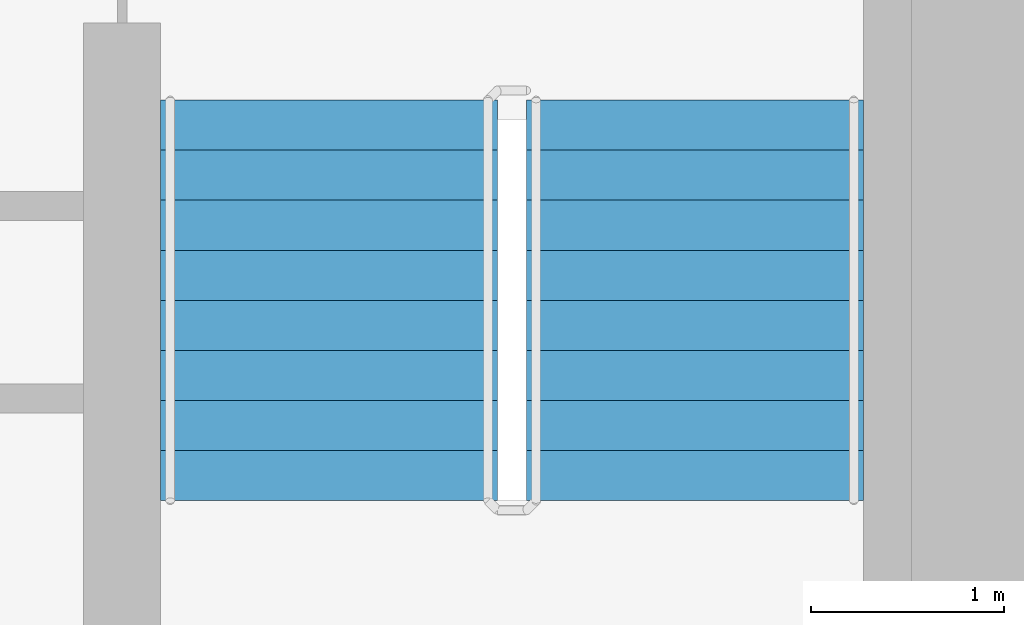
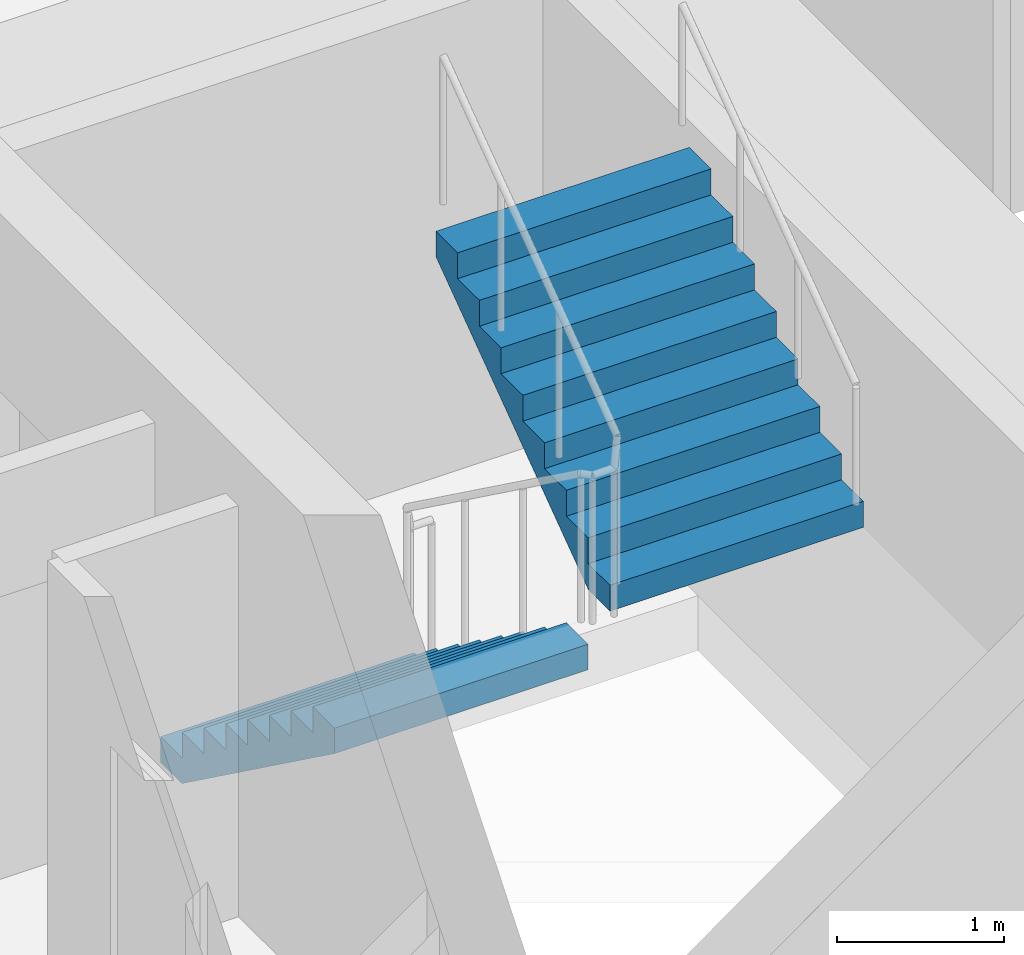
# One storey, part 17 of 21: 2 stair flights, 1 element without a shape of its own.
"""IFC4 building model written with IfcOpenShell, lengths in metres."""

import ifcopenshell
import ifcopenshell.guid

model = None  # the IFC model being written
_history = None  # IfcOwnerHistory: only IFC2X3 demands one
_inside = {}  # id of a spatial element -> (the spatial element, [elements in it])
_under = {}  # id of a project, library or spatial element -> (it, [spatial elements below it])
_declared = {}  # id of a project -> (the project, [libraries it declares])
_typed = {}  # id of a type object -> (the type object, [elements of that type])
_made_of = {}  # id of a material, layer set ... -> (it, [elements and type objects made of it])


def new_model(schema):
    """Start an empty IFC model of exactly this schema.

    Asked for "IFC4X3", IfcOpenShell would pick the latest addendum, in which some entities
    have other attributes; the version numbers below select the first issue.
    IFC2X3 requires an IfcOwnerHistory on every rooted entity: one is made here for all.
    """
    global model, _history
    if schema == "IFC4X3":
        model = ifcopenshell.file(schema_version=(4, 3, 0, 0))
    else:
        model = ifcopenshell.file(schema=schema)
    _inside.clear()
    _under.clear()
    _declared.clear()
    _typed.clear()
    _made_of.clear()
    _history = None
    if model.schema == "IFC2X3":
        org = make("IfcOrganization", Name="unknown")
        user = make(
            "IfcPersonAndOrganization",
            ThePerson=make("IfcPerson", FamilyName="unknown"),
            TheOrganization=org,
        )
        app = make(
            "IfcApplication",
            ApplicationDeveloper=org,
            Version="unknown",
            ApplicationFullName="unknown",
            ApplicationIdentifier="unknown",
        )
        _history = make(
            "IfcOwnerHistory",
            OwningUser=user,
            OwningApplication=app,
            ChangeAction="ADDED",
            CreationDate=0,
        )
    return model


def make(cls, **values):
    """One entity of the class cls with the attributes given. An attribute that is None is left unset."""
    return model.create_entity(
        cls, **{name: value for name, value in values.items() if value is not None}
    )


def rooted(cls, **values):
    """An entity with a GlobalId (a new one), such as an element, a storey or a relation."""
    return make(cls, GlobalId=ifcopenshell.guid.new(), OwnerHistory=_history, **values)


def si_unit(unit_type, name, prefix=None):
    """IfcSIUnit, for example si_unit("LENGTHUNIT", "METRE", prefix="MILLI")."""
    return make("IfcSIUnit", UnitType=unit_type, Prefix=prefix, Name=name)


def assignment(units):
    """IfcUnitAssignment: the units of a project."""
    return None if units is None else make("IfcUnitAssignment", Units=units)


def point(xyz):
    """IfcCartesianPoint."""
    return None if xyz is None else make("IfcCartesianPoint", Coordinates=xyz)


def direction(xyz):
    """IfcDirection."""
    return None if xyz is None else make("IfcDirection", DirectionRatios=xyz)


def frame(location, z_axis=None, x_axis=None):
    """IfcAxis2Placement3D, a coordinate frame: its origin and axes. An axis left out is left unset."""
    return make(
        "IfcAxis2Placement3D",
        Location=point(location),
        Axis=direction(z_axis),
        RefDirection=direction(x_axis),
    )


def origin():
    """The frame at (0, 0, 0) with its axes left unset."""
    return frame((0.0, 0.0, 0.0))


def place(relative_to, where):
    """IfcLocalPlacement: puts the frame where relative to a parent placement (None: the world)."""
    return make(
        "IfcLocalPlacement", PlacementRelTo=relative_to, RelativePlacement=where
    )


def context(
    kind, dimensions, precision=None, world=None, true_north=None, identifier=None
):
    """IfcGeometricRepresentationContext, for example the 3D "Model" context."""
    return make(
        "IfcGeometricRepresentationContext",
        ContextIdentifier=identifier,
        ContextType=kind,
        CoordinateSpaceDimension=dimensions,
        Precision=precision,
        WorldCoordinateSystem=world,
        TrueNorth=true_north,
    )


def subcontext(parent, identifier, kind, view, scale=None):
    """IfcGeometricRepresentationSubContext, for example "Body" below "Model"."""
    return make(
        "IfcGeometricRepresentationSubContext",
        ContextIdentifier=identifier,
        ContextType=kind,
        ParentContext=parent,
        TargetScale=scale,
        TargetView=view,
    )


def project(units=None, contexts=None):
    """IfcProject with its units and contexts."""
    return rooted(
        "IfcProject",
        Name="project",
        RepresentationContexts=contexts,
        UnitsInContext=assignment(units),
    )


def spatial(cls, under=None, at=None, **own):
    """A site, building, storey or space (cls), placed at a placement, below another one or the project."""
    s = rooted(cls, ObjectPlacement=at, **own)
    if under is not None:
        _under.setdefault(under.id(), (under, []))[1].append(s)
    return s


def faces_of(points, faces, orient=None, outer=None):
    """IfcFace entities. A face is a list of loops; a loop is a list of indices into points, from 0.

    orient and outer hold one flag for each loop. By default every Orientation is true, the
    first loop of a face is its IfcFaceOuterBound and the others are IfcFaceBound.
    """
    made = []
    for i, loops in enumerate(faces):
        bounds = []
        for j, loop in enumerate(loops):
            is_outer = j == 0 if outer is None else outer[i][j]
            bounds.append(
                make(
                    "IfcFaceOuterBound" if is_outer else "IfcFaceBound",
                    Bound=make("IfcPolyLoop", Polygon=[points[k] for k in loop]),
                    Orientation=True if orient is None else orient[i][j],
                )
            )
        made.append(make("IfcFace", Bounds=bounds))
    return made


def faceted_brep(points, faces, orient=None, outer=None, voids=None):
    """IfcFacetedBrep: a solid bounded by flat faces; with voids (closed shells), ...WithVoids."""
    shared = [point(p) for p in points]
    hull = make("IfcClosedShell", CfsFaces=faces_of(shared, faces, orient, outer))
    if voids is None:
        return make("IfcFacetedBrep", Outer=hull)
    return make(
        "IfcFacetedBrepWithVoids",
        Outer=hull,
        Voids=[
            make(cls, CfsFaces=faces_of(shared, fs, o, b)) for cls, fs, o, b in voids
        ],
    )


def shape(context_of_items, identifier, shape_type, items):
    """IfcShapeRepresentation: the items that make up one representation, for example the "Body"."""
    return make(
        "IfcShapeRepresentation",
        ContextOfItems=context_of_items,
        RepresentationIdentifier=identifier,
        RepresentationType=shape_type,
        Items=items,
    )


def material(Name=None, Category=None):
    """IfcMaterial."""
    return make("IfcMaterial", Name=Name, Category=Category)


def made_of(thing, what):
    """Note that an element or type object is made of a material, layer set ...; save() writes the relation."""
    if what is not None:
        _made_of.setdefault(what.id(), (what, []))[1].append(thing)
    return thing


def type_object(cls, material=None, **own):
    """A type object (cls), such as IfcWallType, which elements share."""
    return made_of(rooted(cls, **own), material)


def element(
    cls,
    number,
    at=None,
    inside=None,
    cuts=None,
    type_object=None,
    material=None,
    context=None,
    identifier="Body",
    shape_type=None,
    held_by="IfcProductDefinitionShape",
    body=None,
    shapes=None,
    **own,
):
    """One element of the class cls, such as IfcWall. Its Tag is "e" and its number.

    at: its placement. inside: the storey or other place that contains it. cuts: it is an
    opening in that element (IfcRelVoidsElement). A single representation is given by context,
    identifier, shape_type and body (its items); several are given by shapes. held_by: the class
    of the entity that holds the representations. save() writes the other relations.
    """
    e = rooted(cls, Tag="e%d" % number, ObjectPlacement=at, **own)
    if body is not None:
        shapes = [shape(context, identifier, shape_type, body)]
    if shapes is not None:
        e.Representation = make(held_by, Representations=shapes)
    if inside is not None:
        _inside.setdefault(inside.id(), (inside, []))[1].append(e)
    if cuts is not None:
        rooted(
            "IfcRelVoidsElement", RelatingBuildingElement=cuts, RelatedOpeningElement=e
        )
    if type_object is not None:
        _typed.setdefault(type_object.id(), (type_object, []))[1].append(e)
    return made_of(e, material)


def aggregate(whole, parts):
    """IfcRelAggregates: a whole, such as a stair, and the parts it consists of."""
    return rooted("IfcRelAggregates", RelatingObject=whole, RelatedObjects=parts)


def save(model, path):
    """Write the relations noted so far, then the file.

    IfcRelAggregates (storeys below a building ...), IfcRelContainedInSpatialStructure (elements
    in a storey), IfcRelDefinesByType, IfcRelAssociatesMaterial and IfcRelDeclares: one each for
    every whole, place, type object, material and project.
    """
    for whole, parts in _under.values():
        aggregate(whole, parts)
    for where, things in _inside.values():
        rooted(
            "IfcRelContainedInSpatialStructure",
            RelatedElements=things,
            RelatingStructure=where,
        )
    for kind, things in _typed.values():
        rooted("IfcRelDefinesByType", RelatedObjects=things, RelatingType=kind)
    for what, things in _made_of.values():
        rooted("IfcRelAssociatesMaterial", RelatedObjects=things, RelatingMaterial=what)
    for by, libraries in _declared.values():
        rooted("IfcRelDeclares", RelatingContext=by, RelatedDefinitions=libraries)
    model.write(path)


model = new_model("IFC4")

# Units and contexts
model_context = context("Model", 3, precision=1e-05, world=origin(), true_north=direction((0.0, 1.0)))
body_context = subcontext(model_context, "Body", "Model", "MODEL_VIEW")
ifc_project = project(units=[si_unit("LENGTHUNIT", "METRE"), si_unit("AREAUNIT", "SQUARE_METRE"), si_unit("VOLUMEUNIT", "CUBIC_METRE"), si_unit("PLANEANGLEUNIT", "RADIAN"), si_unit("MASSUNIT", "GRAM", prefix="KILO")], contexts=[model_context])

# Site, building, storey
site_placement = place(None, origin())
site = spatial("IfcSite", under=ifc_project, at=site_placement, CompositionType="ELEMENT")
building_placement = place(site_placement, origin())
building = spatial("IfcBuilding", under=site, at=building_placement, Name="Ipe Terrace Towers", CompositionType="ELEMENT")
storey_placement = place(building_placement, frame((0.0, 0.0, 107.199951171875)))
storey = spatial("IfcBuildingStorey", under=building, at=storey_placement, Name="L29", CompositionType="ELEMENT", Elevation=107.199951171875)

# Stair, stair flights
ifc_material_1 = material(Name="Concrete C30/37", Category="concrete")
stair_type = type_object("IfcStairType", Name="Protected exit stair", PredefinedType="HALF_TURN_STAIR", material=ifc_material_1)
stair_placement = place(storey_placement, origin())
stair = element("IfcStair", 1, at=stair_placement, inside=storey, type_object=stair_type, Name="L29 Exit stair T2-C2", PredefinedType="HALF_TURN_STAIR")
ifc_material_2 = material(Name="Concrete C30/37", Category="concrete")
stair_flight_type = type_object("IfcStairFlightType", Name="Exit stair flight 1750", PredefinedType="STRAIGHT", material=ifc_material_2)
stair_flight_1_placement = place(storey_placement, frame((38.77490234375, -9.699951171875, 0.0), z_axis=(0.0, 0.0, 1.0), x_axis=(0.0, -1.0, 0.0)))
stair_flight_1 = element("IfcStairFlight", 2, at=stair_flight_1_placement, type_object=stair_flight_type, Name="T2-ST2 flight 1", NumberOfRisers=9, NumberOfTreads=8, PredefinedType="STRAIGHT", RiserHeight=0.188888889, TreadLength=0.26, context=body_context, shape_type="Brep", body=[
    faceted_brep([(0.255126953125, -0.875, 0.0), (2.080078125, -0.875, 1.325927734375), (2.080078125, -0.875, 1.51123046875), (1.820068359375, -0.875, 1.51123046875), (1.820068359375, -0.875, 1.322265625), (1.56005859375, -0.875, 1.322265625), (1.56005859375, -0.875, 1.13330078125), (1.300048828125, -0.875, 1.13330078125), (1.300048828125, -0.875, 0.9443359375), (1.0400390625, -0.875, 0.9443359375), (1.0400390625, -0.875, 0.755615234375), (0.780029296875, -0.875, 0.755615234375), (0.780029296875, -0.875, 0.566650390625), (0.52001953125, -0.875, 0.566650390625), (0.52001953125, -0.875, 0.377685546875), (0.260009765625, -0.875, 0.377685546875), (0.260009765625, -0.875, 0.18896484375), (0.0, -0.875, 0.18896484375), (0.0, -0.875, 0.0), (0.0, 0.875, 0.0), (0.0, 0.875, 0.18896484375), (0.260009765625, 0.875, 0.18896484375), (0.260009765625, 0.875, 0.377685546875), (0.52001953125, 0.875, 0.377685546875), (0.52001953125, 0.875, 0.566650390625), (0.780029296875, 0.875, 0.566650390625), (0.780029296875, 0.875, 0.755615234375), (1.0400390625, 0.875, 0.755615234375), (1.0400390625, 0.875, 0.9443359375), (1.300048828125, 0.875, 0.9443359375), (1.300048828125, 0.875, 1.13330078125), (1.56005859375, 0.875, 1.13330078125), (1.56005859375, 0.875, 1.322265625), (1.820068359375, 0.875, 1.322265625), (1.820068359375, 0.875, 1.51123046875), (2.080078125, 0.875, 1.51123046875), (2.080078125, 0.875, 1.325927734375), (0.255126953125, 0.875, 0.0), (0.0, -0.300048828125, 0.18896484375), (0.0, -0.1201171875, 0.18896484375), (0.0, -0.06005859375, 0.18896484375), (0.0, -0.030029296875, 0.18896484375), (0.0, -0.010009765625, 0.18896484375), (0.0, 0.0, 0.18896484375), (0.0, 0.010009765625, 0.18896484375), (0.0, 0.030029296875, 0.18896484375), (0.0, 0.06005859375, 0.18896484375), (0.0, 0.1201171875, 0.18896484375), (0.0, 0.300048828125, 0.18896484375), (0.0, 0.300048828125, 0.0), (0.0, 0.1201171875, 0.0), (0.0, 0.06005859375, 0.0), (0.0, 0.030029296875, 0.0), (0.0, 0.010009765625, 0.0), (0.0, 0.0, 0.0), (0.0, -0.010009765625, 0.0), (0.0, -0.030029296875, 0.0), (0.0, -0.06005859375, 0.0), (0.0, -0.1201171875, 0.0), (0.0, -0.300048828125, 0.0), (0.260009765625, -0.300048828125, 0.18896484375), (0.260009765625, -0.1201171875, 0.18896484375), (0.260009765625, -0.06005859375, 0.18896484375), (0.260009765625, -0.030029296875, 0.18896484375), (0.260009765625, -0.010009765625, 0.18896484375), (0.260009765625, 0.0, 0.18896484375), (0.260009765625, 0.010009765625, 0.18896484375), (0.260009765625, 0.030029296875, 0.18896484375), (0.260009765625, 0.06005859375, 0.18896484375), (0.260009765625, 0.1201171875, 0.18896484375), (0.260009765625, 0.300048828125, 0.18896484375), (0.260009765625, -0.300048828125, 0.377685546875), (0.260009765625, -0.1201171875, 0.377685546875), (0.260009765625, -0.06005859375, 0.377685546875), (0.260009765625, -0.030029296875, 0.377685546875), (0.260009765625, -0.010009765625, 0.377685546875), (0.260009765625, 0.0, 0.377685546875), (0.260009765625, 0.010009765625, 0.377685546875), (0.260009765625, 0.030029296875, 0.377685546875), (0.260009765625, 0.06005859375, 0.377685546875), (0.260009765625, 0.1201171875, 0.377685546875), (0.260009765625, 0.300048828125, 0.377685546875), (0.52001953125, -0.300048828125, 0.377685546875), (0.52001953125, -0.1201171875, 0.377685546875), (0.52001953125, -0.06005859375, 0.377685546875), (0.52001953125, -0.030029296875, 0.377685546875), (0.52001953125, -0.010009765625, 0.377685546875), (0.52001953125, 0.0, 0.377685546875), (0.52001953125, 0.010009765625, 0.377685546875), (0.52001953125, 0.030029296875, 0.377685546875), (0.52001953125, 0.06005859375, 0.377685546875), (0.52001953125, 0.1201171875, 0.377685546875), (0.52001953125, 0.300048828125, 0.377685546875), (0.52001953125, -0.300048828125, 0.566650390625), (0.52001953125, -0.1201171875, 0.566650390625), (0.52001953125, -0.06005859375, 0.566650390625), (0.52001953125, -0.030029296875, 0.566650390625), (0.52001953125, -0.010009765625, 0.566650390625), (0.52001953125, 0.0, 0.566650390625), (0.52001953125, 0.010009765625, 0.566650390625), (0.52001953125, 0.030029296875, 0.566650390625), (0.52001953125, 0.06005859375, 0.566650390625), (0.52001953125, 0.1201171875, 0.566650390625), (0.52001953125, 0.300048828125, 0.566650390625), (0.780029296875, -0.300048828125, 0.566650390625), (0.780029296875, -0.1201171875, 0.566650390625), (0.780029296875, -0.06005859375, 0.566650390625), (0.780029296875, -0.030029296875, 0.566650390625), (0.780029296875, -0.010009765625, 0.566650390625), (0.780029296875, 0.0, 0.566650390625), (0.780029296875, 0.010009765625, 0.566650390625), (0.780029296875, 0.030029296875, 0.566650390625), (0.780029296875, 0.06005859375, 0.566650390625), (0.780029296875, 0.1201171875, 0.566650390625), (0.780029296875, 0.300048828125, 0.566650390625), (0.780029296875, -0.300048828125, 0.755615234375), (0.780029296875, -0.1201171875, 0.755615234375), (0.780029296875, -0.06005859375, 0.755615234375), (0.780029296875, -0.030029296875, 0.755615234375), (0.780029296875, -0.010009765625, 0.755615234375), (0.780029296875, 0.0, 0.755615234375), (0.780029296875, 0.010009765625, 0.755615234375), (0.780029296875, 0.030029296875, 0.755615234375), (0.780029296875, 0.06005859375, 0.755615234375), (0.780029296875, 0.1201171875, 0.755615234375), (0.780029296875, 0.300048828125, 0.755615234375), (1.0400390625, -0.300048828125, 0.755615234375), (1.0400390625, -0.1201171875, 0.755615234375), (1.0400390625, -0.06005859375, 0.755615234375), (1.0400390625, -0.030029296875, 0.755615234375), (1.0400390625, -0.010009765625, 0.755615234375), (1.0400390625, 0.0, 0.755615234375), (1.0400390625, 0.010009765625, 0.755615234375), (1.0400390625, 0.030029296875, 0.755615234375), (1.0400390625, 0.06005859375, 0.755615234375), (1.0400390625, 0.1201171875, 0.755615234375), (1.0400390625, 0.300048828125, 0.755615234375), (1.0400390625, -0.300048828125, 0.9443359375), (1.0400390625, -0.1201171875, 0.9443359375), (1.0400390625, -0.06005859375, 0.9443359375), (1.0400390625, -0.030029296875, 0.9443359375), (1.0400390625, -0.010009765625, 0.9443359375), (1.0400390625, 0.0, 0.9443359375), (1.0400390625, 0.010009765625, 0.9443359375), (1.0400390625, 0.030029296875, 0.9443359375), (1.0400390625, 0.06005859375, 0.9443359375), (1.0400390625, 0.1201171875, 0.9443359375), (1.0400390625, 0.300048828125, 0.9443359375), (1.300048828125, -0.300048828125, 0.9443359375), (1.300048828125, -0.1201171875, 0.9443359375), (1.300048828125, -0.06005859375, 0.9443359375), (1.300048828125, -0.030029296875, 0.9443359375), (1.300048828125, -0.010009765625, 0.9443359375), (1.300048828125, 0.0, 0.9443359375), (1.300048828125, 0.010009765625, 0.9443359375), (1.300048828125, 0.030029296875, 0.9443359375), (1.300048828125, 0.06005859375, 0.9443359375), (1.300048828125, 0.1201171875, 0.9443359375), (1.300048828125, 0.300048828125, 0.9443359375), (1.300048828125, -0.300048828125, 1.13330078125), (1.300048828125, -0.1201171875, 1.13330078125), (1.300048828125, -0.06005859375, 1.13330078125), (1.300048828125, -0.030029296875, 1.13330078125), (1.300048828125, -0.010009765625, 1.13330078125), (1.300048828125, 0.0, 1.13330078125), (1.300048828125, 0.010009765625, 1.13330078125), (1.300048828125, 0.030029296875, 1.13330078125), (1.300048828125, 0.06005859375, 1.13330078125), (1.300048828125, 0.1201171875, 1.13330078125), (1.300048828125, 0.300048828125, 1.13330078125), (1.56005859375, -0.300048828125, 1.13330078125), (1.56005859375, -0.1201171875, 1.13330078125), (1.56005859375, -0.06005859375, 1.13330078125), (1.56005859375, -0.030029296875, 1.13330078125), (1.56005859375, -0.010009765625, 1.13330078125), (1.56005859375, 0.0, 1.13330078125), (1.56005859375, 0.010009765625, 1.13330078125), (1.56005859375, 0.030029296875, 1.13330078125), (1.56005859375, 0.06005859375, 1.13330078125), (1.56005859375, 0.1201171875, 1.13330078125), (1.56005859375, 0.300048828125, 1.13330078125), (1.56005859375, -0.300048828125, 1.322265625), (1.56005859375, -0.1201171875, 1.322265625), (1.56005859375, -0.06005859375, 1.322265625), (1.56005859375, -0.030029296875, 1.322265625), (1.56005859375, -0.010009765625, 1.322265625), (1.56005859375, 0.0, 1.322265625), (1.56005859375, 0.010009765625, 1.322265625), (1.56005859375, 0.030029296875, 1.322265625), (1.56005859375, 0.06005859375, 1.322265625), (1.56005859375, 0.1201171875, 1.322265625), (1.56005859375, 0.300048828125, 1.322265625), (1.820068359375, -0.300048828125, 1.322265625), (1.820068359375, -0.1201171875, 1.322265625), (1.820068359375, -0.06005859375, 1.322265625), (1.820068359375, -0.030029296875, 1.322265625), (1.820068359375, -0.010009765625, 1.322265625), (1.820068359375, 0.0, 1.322265625), (1.820068359375, 0.010009765625, 1.322265625), (1.820068359375, 0.030029296875, 1.322265625), (1.820068359375, 0.06005859375, 1.322265625), (1.820068359375, 0.1201171875, 1.322265625), (1.820068359375, 0.300048828125, 1.322265625), (1.820068359375, -0.300048828125, 1.51123046875), (1.820068359375, -0.1201171875, 1.51123046875), (1.820068359375, -0.06005859375, 1.51123046875), (1.820068359375, -0.030029296875, 1.51123046875), (1.820068359375, -0.010009765625, 1.51123046875), (1.820068359375, 0.0, 1.51123046875), (1.820068359375, 0.010009765625, 1.51123046875), (1.820068359375, 0.030029296875, 1.51123046875), (1.820068359375, 0.06005859375, 1.51123046875), (1.820068359375, 0.1201171875, 1.51123046875), (1.820068359375, 0.300048828125, 1.51123046875), (2.080078125, -0.300048828125, 1.51123046875), (2.080078125, -0.1201171875, 1.51123046875), (2.080078125, -0.06005859375, 1.51123046875), (2.080078125, -0.030029296875, 1.51123046875), (2.080078125, -0.010009765625, 1.51123046875), (2.080078125, 0.0, 1.51123046875), (2.080078125, 0.010009765625, 1.51123046875), (2.080078125, 0.030029296875, 1.51123046875), (2.080078125, 0.06005859375, 1.51123046875), (2.080078125, 0.1201171875, 1.51123046875), (2.080078125, 0.300048828125, 1.51123046875), (2.080078125, -0.300048828125, 1.325927734375), (2.080078125, -0.1201171875, 1.325927734375), (2.080078125, -0.06005859375, 1.325927734375), (2.080078125, -0.030029296875, 1.325927734375), (2.080078125, -0.010009765625, 1.325927734375), (2.080078125, 0.0, 1.325927734375), (2.080078125, 0.010009765625, 1.325927734375), (2.080078125, 0.030029296875, 1.325927734375), (2.080078125, 0.06005859375, 1.325927734375), (2.080078125, 0.1201171875, 1.325927734375), (2.080078125, 0.300048828125, 1.325927734375), (0.255126953125, -0.300048828125, 0.0), (0.255126953125, -0.1201171875, 0.0), (0.255126953125, -0.06005859375, 0.0), (0.255126953125, -0.030029296875, 0.0), (0.255126953125, -0.010009765625, 0.0), (0.255126953125, 0.0, 0.0), (0.255126953125, 0.010009765625, 0.0), (0.255126953125, 0.030029296875, 0.0), (0.255126953125, 0.06005859375, 0.0), (0.255126953125, 0.1201171875, 0.0), (0.255126953125, 0.300048828125, 0.0)], [[[0, 1, 2, 3, 4, 5, 6, 7, 8, 9, 10, 11, 12, 13, 14, 15, 16, 17, 18]], [[19, 20, 21, 22, 23, 24, 25, 26, 27, 28, 29, 30, 31, 32, 33, 34, 35, 36, 37]], [[17, 38, 39, 40, 41, 42, 43, 44, 45, 46, 47, 48, 20, 19, 49, 50, 51, 52, 53, 54, 55, 56, 57, 58, 59, 18]], [[16, 60, 61, 62, 63, 64, 65, 66, 67, 68, 69, 70, 21, 20, 48, 47, 46, 45, 44, 43, 42, 41, 40, 39, 38, 17]], [[15, 71, 72, 73, 74, 75, 76, 77, 78, 79, 80, 81, 22, 21, 70, 69, 68, 67, 66, 65, 64, 63, 62, 61, 60, 16]], [[14, 82, 83, 84, 85, 86, 87, 88, 89, 90, 91, 92, 23, 22, 81, 80, 79, 78, 77, 76, 75, 74, 73, 72, 71, 15]], [[13, 93, 94, 95, 96, 97, 98, 99, 100, 101, 102, 103, 24, 23, 92, 91, 90, 89, 88, 87, 86, 85, 84, 83, 82, 14]], [[12, 104, 105, 106, 107, 108, 109, 110, 111, 112, 113, 114, 25, 24, 103, 102, 101, 100, 99, 98, 97, 96, 95, 94, 93, 13]], [[11, 115, 116, 117, 118, 119, 120, 121, 122, 123, 124, 125, 26, 25, 114, 113, 112, 111, 110, 109, 108, 107, 106, 105, 104, 12]], [[10, 126, 127, 128, 129, 130, 131, 132, 133, 134, 135, 136, 27, 26, 125, 124, 123, 122, 121, 120, 119, 118, 117, 116, 115, 11]], [[9, 137, 138, 139, 140, 141, 142, 143, 144, 145, 146, 147, 28, 27, 136, 135, 134, 133, 132, 131, 130, 129, 128, 127, 126, 10]], [[8, 148, 149, 150, 151, 152, 153, 154, 155, 156, 157, 158, 29, 28, 147, 146, 145, 144, 143, 142, 141, 140, 139, 138, 137, 9]], [[7, 159, 160, 161, 162, 163, 164, 165, 166, 167, 168, 169, 30, 29, 158, 157, 156, 155, 154, 153, 152, 151, 150, 149, 148, 8]], [[6, 170, 171, 172, 173, 174, 175, 176, 177, 178, 179, 180, 31, 30, 169, 168, 167, 166, 165, 164, 163, 162, 161, 160, 159, 7]], [[5, 181, 182, 183, 184, 185, 186, 187, 188, 189, 190, 191, 32, 31, 180, 179, 178, 177, 176, 175, 174, 173, 172, 171, 170, 6]], [[4, 192, 193, 194, 195, 196, 197, 198, 199, 200, 201, 202, 33, 32, 191, 190, 189, 188, 187, 186, 185, 184, 183, 182, 181, 5]], [[3, 203, 204, 205, 206, 207, 208, 209, 210, 211, 212, 213, 34, 33, 202, 201, 200, 199, 198, 197, 196, 195, 194, 193, 192, 4]], [[2, 214, 215, 216, 217, 218, 219, 220, 221, 222, 223, 224, 35, 34, 213, 212, 211, 210, 209, 208, 207, 206, 205, 204, 203, 3]], [[1, 225, 226, 227, 228, 229, 230, 231, 232, 233, 234, 235, 36, 35, 224, 223, 222, 221, 220, 219, 218, 217, 216, 215, 214, 2]], [[0, 236, 237, 238, 239, 240, 241, 242, 243, 244, 245, 246, 37, 36, 235, 234, 233, 232, 231, 230, 229, 228, 227, 226, 225, 1]], [[18, 59, 58, 57, 56, 55, 54, 53, 52, 51, 50, 49, 19, 37, 246, 245, 244, 243, 242, 241, 240, 239, 238, 237, 236, 0]]]),
])
stair_flight_2_placement = place(storey_placement, frame((40.675048828125, -11.780029296875, 1.699951171875), z_axis=(0.0, 0.0, 1.0), x_axis=(0.0, 1.0, 0.0)))
stair_flight_2 = element("IfcStairFlight", 3, at=stair_flight_2_placement, type_object=stair_flight_type, Name="T2-ST2 flight 2", NumberOfRisers=9, NumberOfTreads=8, PredefinedType="STRAIGHT", RiserHeight=0.188888889, TreadLength=0.26, context=body_context, shape_type="Brep", body=[
    faceted_brep([(0.255126953125, -0.875, 0.0), (2.080078125, -0.875, 1.325927734375), (2.080078125, -0.875, 1.51123046875), (1.820068359375, -0.875, 1.51123046875), (1.820068359375, -0.875, 1.322265625), (1.56005859375, -0.875, 1.322265625), (1.56005859375, -0.875, 1.13330078125), (1.300048828125, -0.875, 1.13330078125), (1.300048828125, -0.875, 0.9443359375), (1.0400390625, -0.875, 0.9443359375), (1.0400390625, -0.875, 0.755615234375), (0.780029296875, -0.875, 0.755615234375), (0.780029296875, -0.875, 0.566650390625), (0.52001953125, -0.875, 0.566650390625), (0.52001953125, -0.875, 0.377685546875), (0.260009765625, -0.875, 0.377685546875), (0.260009765625, -0.875, 0.18896484375), (0.0, -0.875, 0.18896484375), (0.0, -0.875, 0.0), (0.0, 0.875, 0.0), (0.0, 0.875, 0.18896484375), (0.260009765625, 0.875, 0.18896484375), (0.260009765625, 0.875, 0.377685546875), (0.52001953125, 0.875, 0.377685546875), (0.52001953125, 0.875, 0.566650390625), (0.780029296875, 0.875, 0.566650390625), (0.780029296875, 0.875, 0.755615234375), (1.0400390625, 0.875, 0.755615234375), (1.0400390625, 0.875, 0.9443359375), (1.300048828125, 0.875, 0.9443359375), (1.300048828125, 0.875, 1.13330078125), (1.56005859375, 0.875, 1.13330078125), (1.56005859375, 0.875, 1.322265625), (1.820068359375, 0.875, 1.322265625), (1.820068359375, 0.875, 1.51123046875), (2.080078125, 0.875, 1.51123046875), (2.080078125, 0.875, 1.325927734375), (0.255126953125, 0.875, 0.0), (0.0, -0.300048828125, 0.18896484375), (0.0, -0.1201171875, 0.18896484375), (0.0, -0.06005859375, 0.18896484375), (0.0, -0.030029296875, 0.18896484375), (0.0, -0.010009765625, 0.18896484375), (0.0, 0.0, 0.18896484375), (0.0, 0.010009765625, 0.18896484375), (0.0, 0.030029296875, 0.18896484375), (0.0, 0.06005859375, 0.18896484375), (0.0, 0.1201171875, 0.18896484375), (0.0, 0.300048828125, 0.18896484375), (0.0, 0.300048828125, 0.0), (0.0, 0.1201171875, 0.0), (0.0, 0.06005859375, 0.0), (0.0, 0.030029296875, 0.0), (0.0, 0.010009765625, 0.0), (0.0, 0.0, 0.0), (0.0, -0.010009765625, 0.0), (0.0, -0.030029296875, 0.0), (0.0, -0.06005859375, 0.0), (0.0, -0.1201171875, 0.0), (0.0, -0.300048828125, 0.0), (0.260009765625, -0.300048828125, 0.18896484375), (0.260009765625, -0.1201171875, 0.18896484375), (0.260009765625, -0.06005859375, 0.18896484375), (0.260009765625, -0.030029296875, 0.18896484375), (0.260009765625, -0.010009765625, 0.18896484375), (0.260009765625, 0.0, 0.18896484375), (0.260009765625, 0.010009765625, 0.18896484375), (0.260009765625, 0.030029296875, 0.18896484375), (0.260009765625, 0.06005859375, 0.18896484375), (0.260009765625, 0.1201171875, 0.18896484375), (0.260009765625, 0.300048828125, 0.18896484375), (0.260009765625, -0.300048828125, 0.377685546875), (0.260009765625, -0.1201171875, 0.377685546875), (0.260009765625, -0.06005859375, 0.377685546875), (0.260009765625, -0.030029296875, 0.377685546875), (0.260009765625, -0.010009765625, 0.377685546875), (0.260009765625, 0.0, 0.377685546875), (0.260009765625, 0.010009765625, 0.377685546875), (0.260009765625, 0.030029296875, 0.377685546875), (0.260009765625, 0.06005859375, 0.377685546875), (0.260009765625, 0.1201171875, 0.377685546875), (0.260009765625, 0.300048828125, 0.377685546875), (0.52001953125, -0.300048828125, 0.377685546875), (0.52001953125, -0.1201171875, 0.377685546875), (0.52001953125, -0.06005859375, 0.377685546875), (0.52001953125, -0.030029296875, 0.377685546875), (0.52001953125, -0.010009765625, 0.377685546875), (0.52001953125, 0.0, 0.377685546875), (0.52001953125, 0.010009765625, 0.377685546875), (0.52001953125, 0.030029296875, 0.377685546875), (0.52001953125, 0.06005859375, 0.377685546875), (0.52001953125, 0.1201171875, 0.377685546875), (0.52001953125, 0.300048828125, 0.377685546875), (0.52001953125, -0.300048828125, 0.566650390625), (0.52001953125, -0.1201171875, 0.566650390625), (0.52001953125, -0.06005859375, 0.566650390625), (0.52001953125, -0.030029296875, 0.566650390625), (0.52001953125, -0.010009765625, 0.566650390625), (0.52001953125, 0.0, 0.566650390625), (0.52001953125, 0.010009765625, 0.566650390625), (0.52001953125, 0.030029296875, 0.566650390625), (0.52001953125, 0.06005859375, 0.566650390625), (0.52001953125, 0.1201171875, 0.566650390625), (0.52001953125, 0.300048828125, 0.566650390625), (0.780029296875, -0.300048828125, 0.566650390625), (0.780029296875, -0.1201171875, 0.566650390625), (0.780029296875, -0.06005859375, 0.566650390625), (0.780029296875, -0.030029296875, 0.566650390625), (0.780029296875, -0.010009765625, 0.566650390625), (0.780029296875, 0.0, 0.566650390625), (0.780029296875, 0.010009765625, 0.566650390625), (0.780029296875, 0.030029296875, 0.566650390625), (0.780029296875, 0.06005859375, 0.566650390625), (0.780029296875, 0.1201171875, 0.566650390625), (0.780029296875, 0.300048828125, 0.566650390625), (0.780029296875, -0.300048828125, 0.755615234375), (0.780029296875, -0.1201171875, 0.755615234375), (0.780029296875, -0.06005859375, 0.755615234375), (0.780029296875, -0.030029296875, 0.755615234375), (0.780029296875, -0.010009765625, 0.755615234375), (0.780029296875, 0.0, 0.755615234375), (0.780029296875, 0.010009765625, 0.755615234375), (0.780029296875, 0.030029296875, 0.755615234375), (0.780029296875, 0.06005859375, 0.755615234375), (0.780029296875, 0.1201171875, 0.755615234375), (0.780029296875, 0.300048828125, 0.755615234375), (1.0400390625, -0.300048828125, 0.755615234375), (1.0400390625, -0.1201171875, 0.755615234375), (1.0400390625, -0.06005859375, 0.755615234375), (1.0400390625, -0.030029296875, 0.755615234375), (1.0400390625, -0.010009765625, 0.755615234375), (1.0400390625, 0.0, 0.755615234375), (1.0400390625, 0.010009765625, 0.755615234375), (1.0400390625, 0.030029296875, 0.755615234375), (1.0400390625, 0.06005859375, 0.755615234375), (1.0400390625, 0.1201171875, 0.755615234375), (1.0400390625, 0.300048828125, 0.755615234375), (1.0400390625, -0.300048828125, 0.9443359375), (1.0400390625, -0.1201171875, 0.9443359375), (1.0400390625, -0.06005859375, 0.9443359375), (1.0400390625, -0.030029296875, 0.9443359375), (1.0400390625, -0.010009765625, 0.9443359375), (1.0400390625, 0.0, 0.9443359375), (1.0400390625, 0.010009765625, 0.9443359375), (1.0400390625, 0.030029296875, 0.9443359375), (1.0400390625, 0.06005859375, 0.9443359375), (1.0400390625, 0.1201171875, 0.9443359375), (1.0400390625, 0.300048828125, 0.9443359375), (1.300048828125, -0.300048828125, 0.9443359375), (1.300048828125, -0.1201171875, 0.9443359375), (1.300048828125, -0.06005859375, 0.9443359375), (1.300048828125, -0.030029296875, 0.9443359375), (1.300048828125, -0.010009765625, 0.9443359375), (1.300048828125, 0.0, 0.9443359375), (1.300048828125, 0.010009765625, 0.9443359375), (1.300048828125, 0.030029296875, 0.9443359375), (1.300048828125, 0.06005859375, 0.9443359375), (1.300048828125, 0.1201171875, 0.9443359375), (1.300048828125, 0.300048828125, 0.9443359375), (1.300048828125, -0.300048828125, 1.13330078125), (1.300048828125, -0.1201171875, 1.13330078125), (1.300048828125, -0.06005859375, 1.13330078125), (1.300048828125, -0.030029296875, 1.13330078125), (1.300048828125, -0.010009765625, 1.13330078125), (1.300048828125, 0.0, 1.13330078125), (1.300048828125, 0.010009765625, 1.13330078125), (1.300048828125, 0.030029296875, 1.13330078125), (1.300048828125, 0.06005859375, 1.13330078125), (1.300048828125, 0.1201171875, 1.13330078125), (1.300048828125, 0.300048828125, 1.13330078125), (1.56005859375, -0.300048828125, 1.13330078125), (1.56005859375, -0.1201171875, 1.13330078125), (1.56005859375, -0.06005859375, 1.13330078125), (1.56005859375, -0.030029296875, 1.13330078125), (1.56005859375, -0.010009765625, 1.13330078125), (1.56005859375, 0.0, 1.13330078125), (1.56005859375, 0.010009765625, 1.13330078125), (1.56005859375, 0.030029296875, 1.13330078125), (1.56005859375, 0.06005859375, 1.13330078125), (1.56005859375, 0.1201171875, 1.13330078125), (1.56005859375, 0.300048828125, 1.13330078125), (1.56005859375, -0.300048828125, 1.322265625), (1.56005859375, -0.1201171875, 1.322265625), (1.56005859375, -0.06005859375, 1.322265625), (1.56005859375, -0.030029296875, 1.322265625), (1.56005859375, -0.010009765625, 1.322265625), (1.56005859375, 0.0, 1.322265625), (1.56005859375, 0.010009765625, 1.322265625), (1.56005859375, 0.030029296875, 1.322265625), (1.56005859375, 0.06005859375, 1.322265625), (1.56005859375, 0.1201171875, 1.322265625), (1.56005859375, 0.300048828125, 1.322265625), (1.820068359375, -0.300048828125, 1.322265625), (1.820068359375, -0.1201171875, 1.322265625), (1.820068359375, -0.06005859375, 1.322265625), (1.820068359375, -0.030029296875, 1.322265625), (1.820068359375, -0.010009765625, 1.322265625), (1.820068359375, 0.0, 1.322265625), (1.820068359375, 0.010009765625, 1.322265625), (1.820068359375, 0.030029296875, 1.322265625), (1.820068359375, 0.06005859375, 1.322265625), (1.820068359375, 0.1201171875, 1.322265625), (1.820068359375, 0.300048828125, 1.322265625), (1.820068359375, -0.300048828125, 1.51123046875), (1.820068359375, -0.1201171875, 1.51123046875), (1.820068359375, -0.06005859375, 1.51123046875), (1.820068359375, -0.030029296875, 1.51123046875), (1.820068359375, -0.010009765625, 1.51123046875), (1.820068359375, 0.0, 1.51123046875), (1.820068359375, 0.010009765625, 1.51123046875), (1.820068359375, 0.030029296875, 1.51123046875), (1.820068359375, 0.06005859375, 1.51123046875), (1.820068359375, 0.1201171875, 1.51123046875), (1.820068359375, 0.300048828125, 1.51123046875), (2.080078125, -0.300048828125, 1.51123046875), (2.080078125, -0.1201171875, 1.51123046875), (2.080078125, -0.06005859375, 1.51123046875), (2.080078125, -0.030029296875, 1.51123046875), (2.080078125, -0.010009765625, 1.51123046875), (2.080078125, 0.0, 1.51123046875), (2.080078125, 0.010009765625, 1.51123046875), (2.080078125, 0.030029296875, 1.51123046875), (2.080078125, 0.06005859375, 1.51123046875), (2.080078125, 0.1201171875, 1.51123046875), (2.080078125, 0.300048828125, 1.51123046875), (2.080078125, -0.300048828125, 1.325927734375), (2.080078125, -0.1201171875, 1.325927734375), (2.080078125, -0.06005859375, 1.325927734375), (2.080078125, -0.030029296875, 1.325927734375), (2.080078125, -0.010009765625, 1.325927734375), (2.080078125, 0.0, 1.325927734375), (2.080078125, 0.010009765625, 1.325927734375), (2.080078125, 0.030029296875, 1.325927734375), (2.080078125, 0.06005859375, 1.325927734375), (2.080078125, 0.1201171875, 1.325927734375), (2.080078125, 0.300048828125, 1.325927734375), (0.255126953125, -0.300048828125, 0.0), (0.255126953125, -0.1201171875, 0.0), (0.255126953125, -0.06005859375, 0.0), (0.255126953125, -0.030029296875, 0.0), (0.255126953125, -0.010009765625, 0.0), (0.255126953125, 0.0, 0.0), (0.255126953125, 0.010009765625, 0.0), (0.255126953125, 0.030029296875, 0.0), (0.255126953125, 0.06005859375, 0.0), (0.255126953125, 0.1201171875, 0.0), (0.255126953125, 0.300048828125, 0.0)], [[[0, 1, 2, 3, 4, 5, 6, 7, 8, 9, 10, 11, 12, 13, 14, 15, 16, 17, 18]], [[19, 20, 21, 22, 23, 24, 25, 26, 27, 28, 29, 30, 31, 32, 33, 34, 35, 36, 37]], [[17, 38, 39, 40, 41, 42, 43, 44, 45, 46, 47, 48, 20, 19, 49, 50, 51, 52, 53, 54, 55, 56, 57, 58, 59, 18]], [[16, 60, 61, 62, 63, 64, 65, 66, 67, 68, 69, 70, 21, 20, 48, 47, 46, 45, 44, 43, 42, 41, 40, 39, 38, 17]], [[15, 71, 72, 73, 74, 75, 76, 77, 78, 79, 80, 81, 22, 21, 70, 69, 68, 67, 66, 65, 64, 63, 62, 61, 60, 16]], [[14, 82, 83, 84, 85, 86, 87, 88, 89, 90, 91, 92, 23, 22, 81, 80, 79, 78, 77, 76, 75, 74, 73, 72, 71, 15]], [[13, 93, 94, 95, 96, 97, 98, 99, 100, 101, 102, 103, 24, 23, 92, 91, 90, 89, 88, 87, 86, 85, 84, 83, 82, 14]], [[12, 104, 105, 106, 107, 108, 109, 110, 111, 112, 113, 114, 25, 24, 103, 102, 101, 100, 99, 98, 97, 96, 95, 94, 93, 13]], [[11, 115, 116, 117, 118, 119, 120, 121, 122, 123, 124, 125, 26, 25, 114, 113, 112, 111, 110, 109, 108, 107, 106, 105, 104, 12]], [[10, 126, 127, 128, 129, 130, 131, 132, 133, 134, 135, 136, 27, 26, 125, 124, 123, 122, 121, 120, 119, 118, 117, 116, 115, 11]], [[9, 137, 138, 139, 140, 141, 142, 143, 144, 145, 146, 147, 28, 27, 136, 135, 134, 133, 132, 131, 130, 129, 128, 127, 126, 10]], [[8, 148, 149, 150, 151, 152, 153, 154, 155, 156, 157, 158, 29, 28, 147, 146, 145, 144, 143, 142, 141, 140, 139, 138, 137, 9]], [[7, 159, 160, 161, 162, 163, 164, 165, 166, 167, 168, 169, 30, 29, 158, 157, 156, 155, 154, 153, 152, 151, 150, 149, 148, 8]], [[6, 170, 171, 172, 173, 174, 175, 176, 177, 178, 179, 180, 31, 30, 169, 168, 167, 166, 165, 164, 163, 162, 161, 160, 159, 7]], [[5, 181, 182, 183, 184, 185, 186, 187, 188, 189, 190, 191, 32, 31, 180, 179, 178, 177, 176, 175, 174, 173, 172, 171, 170, 6]], [[4, 192, 193, 194, 195, 196, 197, 198, 199, 200, 201, 202, 33, 32, 191, 190, 189, 188, 187, 186, 185, 184, 183, 182, 181, 5]], [[3, 203, 204, 205, 206, 207, 208, 209, 210, 211, 212, 213, 34, 33, 202, 201, 200, 199, 198, 197, 196, 195, 194, 193, 192, 4]], [[2, 214, 215, 216, 217, 218, 219, 220, 221, 222, 223, 224, 35, 34, 213, 212, 211, 210, 209, 208, 207, 206, 205, 204, 203, 3]], [[1, 225, 226, 227, 228, 229, 230, 231, 232, 233, 234, 235, 36, 35, 224, 223, 222, 221, 220, 219, 218, 217, 216, 215, 214, 2]], [[0, 236, 237, 238, 239, 240, 241, 242, 243, 244, 245, 246, 37, 36, 235, 234, 233, 232, 231, 230, 229, 228, 227, 226, 225, 1]], [[18, 59, 58, 57, 56, 55, 54, 53, 52, 51, 50, 49, 19, 37, 246, 245, 244, 243, 242, 241, 240, 239, 238, 237, 236, 0]]]),
])
aggregate(stair, [stair_flight_1, stair_flight_2])

save(model, "model.ifc")
